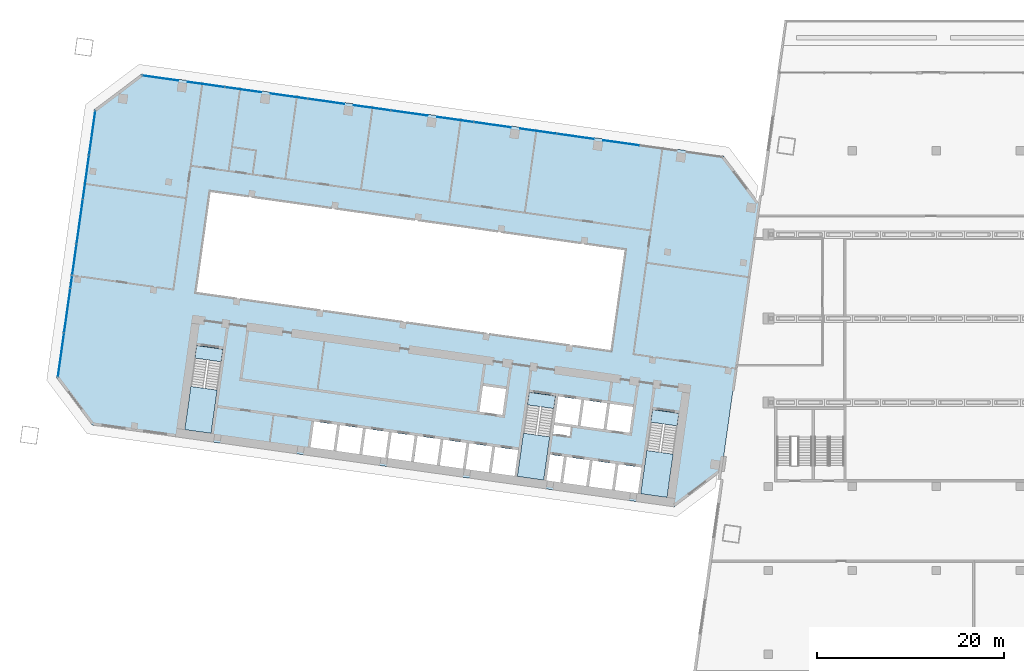
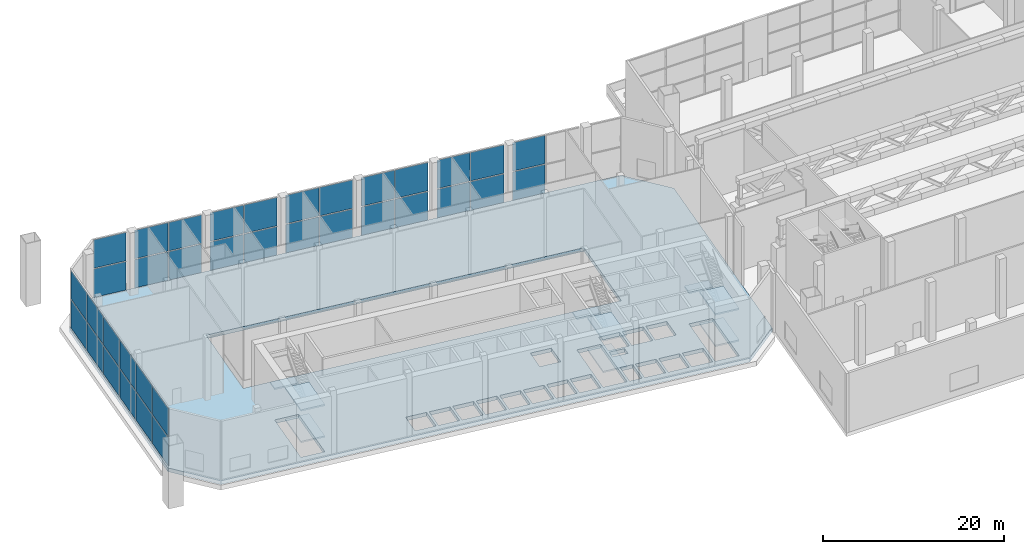
# One storey, part 12 of 31: 36 plates, 10 slabs, 5 elements without a shape of their own.
"""IFC4 building model written with IfcOpenShell, lengths in metres."""

from ifc_helpers import new_model, si_unit, direction, frame, origin, origin_2d, place, context, subcontext, project, spatial, polyline, rectangle, outline, extrude, material, layer, layer_set, type_object, element, aggregate, save


model = new_model("IFC4")

# Units and contexts
model_context = context("Model", 3, precision=1e-05, world=origin(), true_north=direction((0.0, 1.0)))
body_context = subcontext(model_context, "Body", "Model", "MODEL_VIEW")
ifc_project = project(units=[si_unit("LENGTHUNIT", "METRE"), si_unit("AREAUNIT", "SQUARE_METRE"), si_unit("VOLUMEUNIT", "CUBIC_METRE"), si_unit("PLANEANGLEUNIT", "RADIAN"), si_unit("MASSUNIT", "GRAM", prefix="KILO")], contexts=[model_context])

# Site, building, storey
site_placement = place(None, origin())
site = spatial("IfcSite", under=ifc_project, at=site_placement, CompositionType="ELEMENT")
building_placement = place(site_placement, origin())
building = spatial("IfcBuilding", under=site, at=building_placement, Name="Mirante Cascada Hotel Towers", CompositionType="ELEMENT")
storey_placement = place(building_placement, frame((0.0, 0.0, 9.0)))
storey = spatial("IfcBuildingStorey", under=building, at=storey_placement, Name="L01", CompositionType="ELEMENT", Elevation=9.0)

# Curtain wall, plates
ifc_material_1 = material(Name="Aluminium mullion and transom frame with clear laminated glass", Category="aluminium")
curtain_wall_type = type_object("IfcCurtainWallType", Name="Podium curtain wall ECW3", PredefinedType="NOTDEFINED", material=ifc_material_1)
curtain_wall_1_placement = place(storey_placement, origin())
curtain_wall_1 = element("IfcCurtainWall", 1, at=curtain_wall_1_placement, inside=storey, type_object=curtain_wall_type, Name="Front podium glazing T1 L01", PredefinedType="NOTDEFINED")
ifc_material_2 = material(Name="Clear laminated glass", Category="glass")
ifc_layer_1 = layer(ifc_material_2, 0.04)
ifc_layer_set_1 = layer_set([ifc_layer_1], Name="ECW3 glass panel 40")
plate_type = type_object("IfcPlateType", Name="ECW3 glass panel 40", PredefinedType="CURTAIN_PANEL", material=ifc_layer_set_1)
plate_1_placement = place(storey_placement, frame((-92.1787, 25.7739, 0.12), z_axis=(0.0, 0.0, 1.0), x_axis=(0.9902681, -0.1391731, 0.0)))
plate_1 = element("IfcPlate", 2, at=plate_1_placement, type_object=plate_type, Name="ECW3 panel 1", PredefinedType="CURTAIN_PANEL", context=body_context, shape_type="SweptSolid", body=[
    extrude(rectangle(XDim=3.8379, YDim=0.04, at=origin_2d()), origin(), (0.0, 0.0, 1.0), 3.82),
])
plate_2_placement = place(storey_placement, frame((-92.1787, 25.7739, 4.06), z_axis=(0.0, 0.0, 1.0), x_axis=(0.9902681, -0.1391731, 0.0)))
plate_2 = element("IfcPlate", 3, at=plate_2_placement, type_object=plate_type, Name="ECW3 panel 1", PredefinedType="CURTAIN_PANEL", context=body_context, shape_type="SweptSolid", body=[
    extrude(rectangle(XDim=3.8379, YDim=0.04, at=origin_2d()), origin(), (0.0, 0.0, 1.0), 3.82),
])
plate_3_placement = place(storey_placement, frame((-87.2757, 25.0848, 0.12), z_axis=(0.0, 0.0, 1.0), x_axis=(0.9902681, -0.1391731, 0.0)))
plate_3 = element("IfcPlate", 4, at=plate_3_placement, type_object=plate_type, Name="ECW3 panel 2", PredefinedType="CURTAIN_PANEL", context=body_context, shape_type="SweptSolid", body=[
    extrude(rectangle(XDim=3.9844, YDim=0.04, at=origin_2d()), origin(), (0.0, 0.0, 1.0), 3.82),
])
plate_4_placement = place(storey_placement, frame((-87.2757, 25.0848, 4.06), z_axis=(0.0, 0.0, 1.0), x_axis=(0.9902681, -0.1391731, 0.0)))
plate_4 = element("IfcPlate", 5, at=plate_4_placement, type_object=plate_type, Name="ECW3 panel 2", PredefinedType="CURTAIN_PANEL", context=body_context, shape_type="SweptSolid", body=[
    extrude(rectangle(XDim=3.9844, YDim=0.04, at=origin_2d()), origin(), (0.0, 0.0, 1.0), 3.82),
])
plate_5_placement = place(storey_placement, frame((-83.2949, 24.5254, 0.12), z_axis=(0.0, 0.0, 1.0), x_axis=(0.9902681, -0.1391731, 0.0)))
plate_5 = element("IfcPlate", 6, at=plate_5_placement, type_object=plate_type, Name="ECW3 panel 3", PredefinedType="CURTAIN_PANEL", context=body_context, shape_type="SweptSolid", body=[
    extrude(rectangle(XDim=3.8956, YDim=0.04, at=origin_2d()), origin(), (0.0, 0.0, 1.0), 3.82),
])
plate_6_placement = place(storey_placement, frame((-83.2949, 24.5254, 4.06), z_axis=(0.0, 0.0, 1.0), x_axis=(0.9902681, -0.1391731, 0.0)))
plate_6 = element("IfcPlate", 7, at=plate_6_placement, type_object=plate_type, Name="ECW3 panel 3", PredefinedType="CURTAIN_PANEL", context=body_context, shape_type="SweptSolid", body=[
    extrude(rectangle(XDim=3.8956, YDim=0.04, at=origin_2d()), origin(), (0.0, 0.0, 1.0), 3.82),
])
plate_7_placement = place(storey_placement, frame((-78.3721, 23.8335, 0.12), z_axis=(0.0, 0.0, 1.0), x_axis=(0.9902681, -0.1391731, 0.0)))
plate_7 = element("IfcPlate", 8, at=plate_7_placement, type_object=plate_type, Name="ECW3 panel 4", PredefinedType="CURTAIN_PANEL", context=body_context, shape_type="SweptSolid", body=[
    extrude(rectangle(XDim=3.9666, YDim=0.04, at=origin_2d()), origin(), (0.0, 0.0, 1.0), 3.82),
])
plate_8_placement = place(storey_placement, frame((-78.3721, 23.8335, 4.06), z_axis=(0.0, 0.0, 1.0), x_axis=(0.9902681, -0.1391731, 0.0)))
plate_8 = element("IfcPlate", 9, at=plate_8_placement, type_object=plate_type, Name="ECW3 panel 4", PredefinedType="CURTAIN_PANEL", context=body_context, shape_type="SweptSolid", body=[
    extrude(rectangle(XDim=3.9666, YDim=0.04, at=origin_2d()), origin(), (0.0, 0.0, 1.0), 3.82),
])
plate_9_placement = place(storey_placement, frame((-74.3912, 23.274, 0.12), z_axis=(0.0, 0.0, 1.0), x_axis=(0.9902681, -0.1391731, 0.0)))
plate_9 = element("IfcPlate", 10, at=plate_9_placement, type_object=plate_type, Name="ECW3 panel 5", PredefinedType="CURTAIN_PANEL", context=body_context, shape_type="SweptSolid", body=[
    extrude(rectangle(XDim=3.9134, YDim=0.04, at=origin_2d()), origin(), (0.0, 0.0, 1.0), 3.82),
])
plate_10_placement = place(storey_placement, frame((-74.3912, 23.274, 4.06), z_axis=(0.0, 0.0, 1.0), x_axis=(0.9902681, -0.1391731, 0.0)))
plate_10 = element("IfcPlate", 11, at=plate_10_placement, type_object=plate_type, Name="ECW3 panel 5", PredefinedType="CURTAIN_PANEL", context=body_context, shape_type="SweptSolid", body=[
    extrude(rectangle(XDim=3.9134, YDim=0.04, at=origin_2d()), origin(), (0.0, 0.0, 1.0), 3.82),
])
plate_11_placement = place(storey_placement, frame((-69.4685, 22.5822, 0.12), z_axis=(0.0, 0.0, 1.0), x_axis=(0.9902681, -0.1391731, 0.0)))
plate_11 = element("IfcPlate", 12, at=plate_11_placement, type_object=plate_type, Name="ECW3 panel 6", PredefinedType="CURTAIN_PANEL", context=body_context, shape_type="SweptSolid", body=[
    extrude(rectangle(XDim=3.9489, YDim=0.04, at=origin_2d()), origin(), (0.0, 0.0, 1.0), 3.82),
])
plate_12_placement = place(storey_placement, frame((-69.4685, 22.5822, 4.06), z_axis=(0.0, 0.0, 1.0), x_axis=(0.9902681, -0.1391731, 0.0)))
plate_12 = element("IfcPlate", 13, at=plate_12_placement, type_object=plate_type, Name="ECW3 panel 6", PredefinedType="CURTAIN_PANEL", context=body_context, shape_type="SweptSolid", body=[
    extrude(rectangle(XDim=3.9489, YDim=0.04, at=origin_2d()), origin(), (0.0, 0.0, 1.0), 3.82),
])
plate_13_placement = place(storey_placement, frame((-65.4876, 22.0227, 0.12), z_axis=(0.0, 0.0, 1.0), x_axis=(0.9902681, -0.1391731, 0.0)))
plate_13 = element("IfcPlate", 14, at=plate_13_placement, type_object=plate_type, Name="ECW3 panel 7", PredefinedType="CURTAIN_PANEL", context=body_context, shape_type="SweptSolid", body=[
    extrude(rectangle(XDim=3.9311, YDim=0.04, at=origin_2d()), origin(), (0.0, 0.0, 1.0), 3.82),
])
plate_14_placement = place(storey_placement, frame((-65.4876, 22.0227, 4.06), z_axis=(0.0, 0.0, 1.0), x_axis=(0.9902681, -0.1391731, 0.0)))
plate_14 = element("IfcPlate", 15, at=plate_14_placement, type_object=plate_type, Name="ECW3 panel 7", PredefinedType="CURTAIN_PANEL", context=body_context, shape_type="SweptSolid", body=[
    extrude(rectangle(XDim=3.9311, YDim=0.04, at=origin_2d()), origin(), (0.0, 0.0, 1.0), 3.82),
])
plate_15_placement = place(storey_placement, frame((-60.5649, 21.3309, 0.12), z_axis=(0.0, 0.0, 1.0), x_axis=(0.9902681, -0.1391731, 0.0)))
plate_15 = element("IfcPlate", 16, at=plate_15_placement, type_object=plate_type, Name="ECW3 panel 8", PredefinedType="CURTAIN_PANEL", context=body_context, shape_type="SweptSolid", body=[
    extrude(rectangle(XDim=3.9311, YDim=0.04, at=origin_2d()), origin(), (0.0, 0.0, 1.0), 3.82),
])
plate_16_placement = place(storey_placement, frame((-60.5649, 21.3309, 4.06), z_axis=(0.0, 0.0, 1.0), x_axis=(0.9902681, -0.1391731, 0.0)))
plate_16 = element("IfcPlate", 17, at=plate_16_placement, type_object=plate_type, Name="ECW3 panel 8", PredefinedType="CURTAIN_PANEL", context=body_context, shape_type="SweptSolid", body=[
    extrude(rectangle(XDim=3.9311, YDim=0.04, at=origin_2d()), origin(), (0.0, 0.0, 1.0), 3.82),
])
plate_17_placement = place(storey_placement, frame((-56.584, 20.7714, 0.12), z_axis=(0.0, 0.0, 1.0), x_axis=(0.9902681, -0.1391731, 0.0)))
plate_17 = element("IfcPlate", 18, at=plate_17_placement, type_object=plate_type, Name="ECW3 panel 9", PredefinedType="CURTAIN_PANEL", context=body_context, shape_type="SweptSolid", body=[
    extrude(rectangle(XDim=3.9489, YDim=0.04, at=origin_2d()), origin(), (0.0, 0.0, 1.0), 3.82),
])
plate_18_placement = place(storey_placement, frame((-56.584, 20.7714, 4.06), z_axis=(0.0, 0.0, 1.0), x_axis=(0.9902681, -0.1391731, 0.0)))
plate_18 = element("IfcPlate", 19, at=plate_18_placement, type_object=plate_type, Name="ECW3 panel 9", PredefinedType="CURTAIN_PANEL", context=body_context, shape_type="SweptSolid", body=[
    extrude(rectangle(XDim=3.9489, YDim=0.04, at=origin_2d()), origin(), (0.0, 0.0, 1.0), 3.82),
])
plate_19_placement = place(storey_placement, frame((-51.6612, 20.0795, 0.12), z_axis=(0.0, 0.0, 1.0), x_axis=(0.9902681, -0.1391731, 0.0)))
plate_19 = element("IfcPlate", 20, at=plate_19_placement, type_object=plate_type, Name="ECW3 panel 10", PredefinedType="CURTAIN_PANEL", context=body_context, shape_type="SweptSolid", body=[
    extrude(rectangle(XDim=3.9134, YDim=0.04, at=origin_2d()), origin(), (0.0, 0.0, 1.0), 3.82),
])
plate_20_placement = place(storey_placement, frame((-51.6612, 20.0795, 4.06), z_axis=(0.0, 0.0, 1.0), x_axis=(0.9902681, -0.1391731, 0.0)))
plate_20 = element("IfcPlate", 21, at=plate_20_placement, type_object=plate_type, Name="ECW3 panel 10", PredefinedType="CURTAIN_PANEL", context=body_context, shape_type="SweptSolid", body=[
    extrude(rectangle(XDim=3.9134, YDim=0.04, at=origin_2d()), origin(), (0.0, 0.0, 1.0), 3.82),
])
plate_21_placement = place(storey_placement, frame((-47.6804, 19.5201, 0.12), z_axis=(0.0, 0.0, 1.0), x_axis=(0.9902681, -0.1391731, 0.0)))
plate_21 = element("IfcPlate", 22, at=plate_21_placement, type_object=plate_type, Name="ECW3 panel 11", PredefinedType="CURTAIN_PANEL", context=body_context, shape_type="SweptSolid", body=[
    extrude(rectangle(XDim=3.9666, YDim=0.04, at=origin_2d()), origin(), (0.0, 0.0, 1.0), 3.82),
])
plate_22_placement = place(storey_placement, frame((-47.6804, 19.5201, 4.06), z_axis=(0.0, 0.0, 1.0), x_axis=(0.9902681, -0.1391731, 0.0)))
plate_22 = element("IfcPlate", 23, at=plate_22_placement, type_object=plate_type, Name="ECW3 panel 11", PredefinedType="CURTAIN_PANEL", context=body_context, shape_type="SweptSolid", body=[
    extrude(rectangle(XDim=3.9666, YDim=0.04, at=origin_2d()), origin(), (0.0, 0.0, 1.0), 3.82),
])
plate_23_placement = place(storey_placement, frame((-42.7576, 18.8282, 0.12), z_axis=(0.0, 0.0, 1.0), x_axis=(0.9902681, -0.1391731, 0.0)))
plate_23 = element("IfcPlate", 24, at=plate_23_placement, type_object=plate_type, Name="ECW3 panel 12", PredefinedType="CURTAIN_PANEL", context=body_context, shape_type="SweptSolid", body=[
    extrude(rectangle(XDim=3.8956, YDim=0.04, at=origin_2d()), origin(), (0.0, 0.0, 1.0), 3.82),
])
plate_24_placement = place(storey_placement, frame((-42.7576, 18.8282, 4.06), z_axis=(0.0, 0.0, 1.0), x_axis=(0.9902681, -0.1391731, 0.0)))
plate_24 = element("IfcPlate", 25, at=plate_24_placement, type_object=plate_type, Name="ECW3 panel 12", PredefinedType="CURTAIN_PANEL", context=body_context, shape_type="SweptSolid", body=[
    extrude(rectangle(XDim=3.8956, YDim=0.04, at=origin_2d()), origin(), (0.0, 0.0, 1.0), 3.82),
])
aggregate(curtain_wall_1, [plate_1, plate_2, plate_3, plate_4, plate_5, plate_6, plate_7, plate_8, plate_9, plate_10, plate_11, plate_12, plate_13, plate_14, plate_15, plate_16, plate_17, plate_18, plate_19, plate_20, plate_21, plate_22, plate_23, plate_24])

curtain_wall_2_placement = place(storey_placement, origin())
curtain_wall_2 = element("IfcCurtainWall", 26, at=curtain_wall_2_placement, inside=storey, type_object=curtain_wall_type, Name="Outer end podium glazing T1 L01", PredefinedType="NOTDEFINED")
plate_25_placement = place(storey_placement, frame((-102.8224, -3.8951, 0.12), z_axis=(0.0, 0.0, 1.0), x_axis=(0.1391731, 0.9902681, 0.0)))
plate_25 = element("IfcPlate", 27, at=plate_25_placement, type_object=plate_type, Name="ECW3 panel 1", PredefinedType="CURTAIN_PANEL", context=body_context, shape_type="SweptSolid", body=[
    extrude(rectangle(XDim=4.6926, YDim=0.04, at=origin_2d()), origin(), (0.0, 0.0, 1.0), 3.82),
])
plate_26_placement = place(storey_placement, frame((-102.8224, -3.8951, 4.06), z_axis=(0.0, 0.0, 1.0), x_axis=(0.1391731, 0.9902681, 0.0)))
plate_26 = element("IfcPlate", 28, at=plate_26_placement, type_object=plate_type, Name="ECW3 panel 1", PredefinedType="CURTAIN_PANEL", context=body_context, shape_type="SweptSolid", body=[
    extrude(rectangle(XDim=4.6926, YDim=0.04, at=origin_2d()), origin(), (0.0, 0.0, 1.0), 3.82),
])
plate_27_placement = place(storey_placement, frame((-102.1554, 0.8509, 0.12), z_axis=(0.0, 0.0, 1.0), x_axis=(0.1391731, 0.9902681, 0.0)))
plate_27 = element("IfcPlate", 29, at=plate_27_placement, type_object=plate_type, Name="ECW3 panel 2", PredefinedType="CURTAIN_PANEL", context=body_context, shape_type="SweptSolid", body=[
    extrude(rectangle(XDim=4.7326, YDim=0.04, at=origin_2d()), origin(), (0.0, 0.0, 1.0), 3.82),
])
plate_28_placement = place(storey_placement, frame((-102.1554, 0.8509, 4.06), z_axis=(0.0, 0.0, 1.0), x_axis=(0.1391731, 0.9902681, 0.0)))
plate_28 = element("IfcPlate", 30, at=plate_28_placement, type_object=plate_type, Name="ECW3 panel 2", PredefinedType="CURTAIN_PANEL", context=body_context, shape_type="SweptSolid", body=[
    extrude(rectangle(XDim=4.7326, YDim=0.04, at=origin_2d()), origin(), (0.0, 0.0, 1.0), 3.82),
])
plate_29_placement = place(storey_placement, frame((-101.4857, 5.6167, 0.12), z_axis=(0.0, 0.0, 1.0), x_axis=(0.1391731, 0.9902681, 0.0)))
plate_29 = element("IfcPlate", 31, at=plate_29_placement, type_object=plate_type, Name="ECW3 panel 3", PredefinedType="CURTAIN_PANEL", context=body_context, shape_type="SweptSolid", body=[
    extrude(rectangle(XDim=4.7326, YDim=0.04, at=origin_2d()), origin(), (0.0, 0.0, 1.0), 3.82),
])
plate_30_placement = place(storey_placement, frame((-101.4857, 5.6167, 4.06), z_axis=(0.0, 0.0, 1.0), x_axis=(0.1391731, 0.9902681, 0.0)))
plate_30 = element("IfcPlate", 32, at=plate_30_placement, type_object=plate_type, Name="ECW3 panel 3", PredefinedType="CURTAIN_PANEL", context=body_context, shape_type="SweptSolid", body=[
    extrude(rectangle(XDim=4.7326, YDim=0.04, at=origin_2d()), origin(), (0.0, 0.0, 1.0), 3.82),
])
plate_31_placement = place(storey_placement, frame((-100.8159, 10.3825, 0.12), z_axis=(0.0, 0.0, 1.0), x_axis=(0.1391731, 0.9902681, 0.0)))
plate_31 = element("IfcPlate", 33, at=plate_31_placement, type_object=plate_type, Name="ECW3 panel 4", PredefinedType="CURTAIN_PANEL", context=body_context, shape_type="SweptSolid", body=[
    extrude(rectangle(XDim=4.7326, YDim=0.04, at=origin_2d()), origin(), (0.0, 0.0, 1.0), 3.82),
])
plate_32_placement = place(storey_placement, frame((-100.8159, 10.3825, 4.06), z_axis=(0.0, 0.0, 1.0), x_axis=(0.1391731, 0.9902681, 0.0)))
plate_32 = element("IfcPlate", 34, at=plate_32_placement, type_object=plate_type, Name="ECW3 panel 4", PredefinedType="CURTAIN_PANEL", context=body_context, shape_type="SweptSolid", body=[
    extrude(rectangle(XDim=4.7326, YDim=0.04, at=origin_2d()), origin(), (0.0, 0.0, 1.0), 3.82),
])
plate_33_placement = place(storey_placement, frame((-100.1461, 15.1483, 0.12), z_axis=(0.0, 0.0, 1.0), x_axis=(0.1391731, 0.9902681, 0.0)))
plate_33 = element("IfcPlate", 35, at=plate_33_placement, type_object=plate_type, Name="ECW3 panel 5", PredefinedType="CURTAIN_PANEL", context=body_context, shape_type="SweptSolid", body=[
    extrude(rectangle(XDim=4.7326, YDim=0.04, at=origin_2d()), origin(), (0.0, 0.0, 1.0), 3.82),
])
plate_34_placement = place(storey_placement, frame((-100.1461, 15.1483, 4.06), z_axis=(0.0, 0.0, 1.0), x_axis=(0.1391731, 0.9902681, 0.0)))
plate_34 = element("IfcPlate", 36, at=plate_34_placement, type_object=plate_type, Name="ECW3 panel 5", PredefinedType="CURTAIN_PANEL", context=body_context, shape_type="SweptSolid", body=[
    extrude(rectangle(XDim=4.7326, YDim=0.04, at=origin_2d()), origin(), (0.0, 0.0, 1.0), 3.82),
])
plate_35_placement = place(storey_placement, frame((-99.4791, 19.8942, 0.12), z_axis=(0.0, 0.0, 1.0), x_axis=(0.1391731, 0.9902681, 0.0)))
plate_35 = element("IfcPlate", 37, at=plate_35_placement, type_object=plate_type, Name="ECW3 panel 6", PredefinedType="CURTAIN_PANEL", context=body_context, shape_type="SweptSolid", body=[
    extrude(rectangle(XDim=4.6926, YDim=0.04, at=origin_2d()), origin(), (0.0, 0.0, 1.0), 3.82),
])
plate_36_placement = place(storey_placement, frame((-99.4791, 19.8942, 4.06), z_axis=(0.0, 0.0, 1.0), x_axis=(0.1391731, 0.9902681, 0.0)))
plate_36 = element("IfcPlate", 38, at=plate_36_placement, type_object=plate_type, Name="ECW3 panel 6", PredefinedType="CURTAIN_PANEL", context=body_context, shape_type="SweptSolid", body=[
    extrude(rectangle(XDim=4.6926, YDim=0.04, at=origin_2d()), origin(), (0.0, 0.0, 1.0), 3.82),
])
aggregate(curtain_wall_2, [plate_25, plate_26, plate_27, plate_28, plate_29, plate_30, plate_31, plate_32, plate_33, plate_34, plate_35, plate_36])

# Stair, slabs
ifc_material_3 = material(Name="Concrete C35/45", Category="concrete")
stair_type = type_object("IfcStairType", Name="Exit stair half-turn 1350 concrete C35/45", PredefinedType="HALF_TURN_STAIR", material=ifc_material_3)
stair_1_placement = place(storey_placement, origin())
stair_1 = element("IfcStair", 39, at=stair_1_placement, inside=storey, type_object=stair_type, Name="L01 Exit stair A", PredefinedType="HALF_TURN_STAIR")
ifc_material_4 = material(Name="Concrete C35/45", Category="concrete")
ifc_layer_2 = layer(ifc_material_4, 0.2)
ifc_layer_set_2 = layer_set([ifc_layer_2], Name="Exit stair landing 200 concrete C35/45")
slab_type_1 = type_object("IfcSlabType", Name="Exit stair landing 200 concrete C35/45", PredefinedType="LANDING", material=ifc_layer_set_2)
slab_1_placement = place(storey_placement, frame((0.0, 0.0, 1.925)))
slab_1 = element("IfcSlab", 40, at=slab_1_placement, type_object=slab_type_1, Name="ST1-A landing 1", PredefinedType="LANDING", context=body_context, shape_type="SweptSolid", body=[
    extrude(outline(polyline([(-40.0377, -14.1432), (-40.6887, -18.7757), (-37.8665, -19.1723), (-37.2154, -14.5398), (-40.0377, -14.1432)])), origin(), (0.0, 0.0, 1.0), 0.2),
])
slab_2_placement = place(storey_placement, frame((0.0, 0.0, 4.05)))
slab_2 = element("IfcSlab", 41, at=slab_2_placement, type_object=slab_type_1, Name="ST1-A landing 2", PredefinedType="LANDING", context=body_context, shape_type="SweptSolid", body=[
    extrude(outline(polyline([(-39.4223, -9.7642), (-39.6113, -11.109), (-36.789, -11.5057), (-36.6, -10.1609), (-39.4223, -9.7642)])), origin(), (0.0, 0.0, 1.0), 0.2),
])
slab_3_placement = place(storey_placement, frame((0.0, 0.0, 6.175)))
slab_3 = element("IfcSlab", 42, at=slab_3_placement, type_object=slab_type_1, Name="ST1-A landing 3", PredefinedType="LANDING", context=body_context, shape_type="SweptSolid", body=[
    extrude(outline(polyline([(-40.0377, -14.1432), (-40.6887, -18.7757), (-37.8665, -19.1723), (-37.2154, -14.5398), (-40.0377, -14.1432)])), origin(), (0.0, 0.0, 1.0), 0.2),
])
aggregate(stair_1, [slab_1, slab_2, slab_3])

stair_2_placement = place(storey_placement, origin())
stair_2 = element("IfcStair", 43, at=stair_2_placement, inside=storey, type_object=stair_type, Name="L01 Exit stair B", PredefinedType="HALF_TURN_STAIR")
slab_4_placement = place(storey_placement, frame((0.0, 0.0, 1.925)))
slab_4 = element("IfcSlab", 44, at=slab_4_placement, type_object=slab_type_1, Name="ST1-B landing 1", PredefinedType="LANDING", context=body_context, shape_type="SweptSolid", body=[
    extrude(outline(polyline([(-53.2578, -12.2852), (-53.9088, -16.9177), (-51.0866, -17.3144), (-50.4355, -12.6819), (-53.2578, -12.2852)])), origin(), (0.0, 0.0, 1.0), 0.2),
])
slab_5_placement = place(storey_placement, frame((0.0, 0.0, 4.05)))
slab_5 = element("IfcSlab", 45, at=slab_5_placement, type_object=slab_type_1, Name="ST1-B landing 2", PredefinedType="LANDING", context=body_context, shape_type="SweptSolid", body=[
    extrude(outline(polyline([(-52.6423, -7.9063), (-52.8313, -9.2511), (-50.0091, -9.6477), (-49.8201, -8.3029), (-52.6423, -7.9063)])), origin(), (0.0, 0.0, 1.0), 0.2),
])
slab_6_placement = place(storey_placement, frame((0.0, 0.0, 6.175)))
slab_6 = element("IfcSlab", 46, at=slab_6_placement, type_object=slab_type_1, Name="ST1-B landing 3", PredefinedType="LANDING", context=body_context, shape_type="SweptSolid", body=[
    extrude(outline(polyline([(-53.2578, -12.2852), (-53.9088, -16.9177), (-51.0866, -17.3144), (-50.4355, -12.6819), (-53.2578, -12.2852)])), origin(), (0.0, 0.0, 1.0), 0.2),
])
aggregate(stair_2, [slab_4, slab_5, slab_6])

stair_3_placement = place(storey_placement, origin())
stair_3 = element("IfcStair", 47, at=stair_3_placement, inside=storey, type_object=stair_type, Name="L01 Exit stair C", PredefinedType="HALF_TURN_STAIR")
slab_7_placement = place(storey_placement, frame((0.0, 0.0, 1.925)))
slab_7 = element("IfcSlab", 48, at=slab_7_placement, type_object=slab_type_1, Name="ST1-C landing 1", PredefinedType="LANDING", context=body_context, shape_type="SweptSolid", body=[
    extrude(outline(polyline([(-88.9074, -7.275), (-89.5585, -11.9075), (-86.7362, -12.3041), (-86.0852, -7.6717), (-88.9074, -7.275)])), origin(), (0.0, 0.0, 1.0), 0.2),
])
slab_8_placement = place(storey_placement, frame((0.0, 0.0, 4.05)))
slab_8 = element("IfcSlab", 49, at=slab_8_placement, type_object=slab_type_1, Name="ST1-C landing 2", PredefinedType="LANDING", context=body_context, shape_type="SweptSolid", body=[
    extrude(outline(polyline([(-88.292, -2.896), (-88.481, -4.2408), (-85.6587, -4.6375), (-85.4697, -3.2927), (-88.292, -2.896)])), origin(), (0.0, 0.0, 1.0), 0.2),
])
slab_9_placement = place(storey_placement, frame((0.0, 0.0, 6.175)))
slab_9 = element("IfcSlab", 50, at=slab_9_placement, type_object=slab_type_1, Name="ST1-C landing 3", PredefinedType="LANDING", context=body_context, shape_type="SweptSolid", body=[
    extrude(outline(polyline([(-88.9074, -7.275), (-89.5585, -11.9075), (-86.7362, -12.3041), (-86.0852, -7.6717), (-88.9074, -7.275)])), origin(), (0.0, 0.0, 1.0), 0.2),
])
aggregate(stair_3, [slab_7, slab_8, slab_9])

# Slab
ifc_material_5 = material(Name="Concrete C40/50", Category="concrete")
ifc_layer_3 = layer(ifc_material_5, 0.5)
ifc_layer_set_3 = layer_set([ifc_layer_3], Name="Post-tensioned flat plate 500 Concrete C40/50")
slab_type_2 = type_object("IfcSlabType", Name="Post-tensioned flat plate 500 Concrete C40/50", PredefinedType="FLOOR", material=ifc_layer_set_3)
slab_10_placement = place(storey_placement, frame((0.0, 0.0, -0.5)))
element("IfcSlab", 51, at=slab_10_placement, inside=storey, type_object=slab_type_2, Name="Floor T1 L01", PredefinedType="FLOOR", context=body_context, shape_type="SweptSolid", body=[
    extrude(outline(polyline([(-32.018, -16.3589), (-27.982, 12.3589), (-31.8119, 17.4414), (-94.1988, 26.2093), (-99.2813, 22.3794), (-103.3173, -6.3384), (-99.4874, -11.4209), (-37.1005, -20.1888), (-32.018, -16.3589)]), holes=[polyline([(-43.0718, -15.6132), (-40.5961, -15.9612), (-40.9858, -18.7339), (-43.4615, -18.386), (-43.0718, -15.6132)]), polyline([(-45.8446, -15.2236), (-43.3689, -15.5715), (-43.7586, -18.3442), (-46.2342, -17.9963), (-45.8446, -15.2236)]), polyline([(-48.6173, -14.8339), (-46.1416, -15.1818), (-46.5313, -17.9546), (-49.007, -17.6066), (-48.6173, -14.8339)]), polyline([(-50.7895, -17.3561), (-50.3998, -14.5834), (-48.9144, -14.7921), (-49.3041, -17.5649), (-50.7895, -17.3561)]), polyline([(-56.6816, -16.528), (-56.2919, -13.7553), (-53.8162, -14.1032), (-54.2059, -16.876), (-56.6816, -16.528)]), polyline([(-36.7887, -11.5037), (-37.8665, -19.1723), (-40.6887, -18.7757), (-39.611, -11.107), (-36.7887, -11.5037)]), polyline([(-50.0088, -9.6457), (-51.0866, -17.3144), (-53.9088, -16.9177), (-52.8311, -9.2491), (-50.0088, -9.6457)]), polyline([(-49.9544, -11.4145), (-48.1472, -11.6685), (-48.2829, -12.634), (-50.0901, -12.38), (-49.9544, -11.4145)]), polyline([(-44.3672, -11.8968), (-43.9775, -9.124), (-41.5018, -9.472), (-41.8915, -12.2447), (-44.3672, -11.8968)]), polyline([(-47.1399, -11.5071), (-46.7503, -8.7344), (-44.2746, -9.0823), (-44.6643, -11.855), (-47.1399, -11.5071)]), polyline([(-49.523, -8.3447), (-47.0473, -8.6926), (-47.437, -11.4654), (-49.9127, -11.1174), (-49.523, -8.3447)]), polyline([(-59.0646, -13.3656), (-56.589, -13.7135), (-56.9787, -16.4863), (-59.4543, -16.1383), (-59.0646, -13.3656)]), polyline([(-61.8374, -12.9759), (-59.3617, -13.3238), (-59.7514, -16.0966), (-62.2271, -15.7487), (-61.8374, -12.9759)]), polyline([(-64.9998, -15.359), (-64.6101, -12.5862), (-62.1345, -12.9342), (-62.5242, -15.7069), (-64.9998, -15.359)]), polyline([(-67.7726, -14.9693), (-67.3829, -12.1965), (-64.9072, -12.5445), (-65.2969, -15.3172), (-67.7726, -14.9693)]), polyline([(-70.1556, -11.8069), (-67.68, -12.1548), (-68.0697, -14.9275), (-70.5453, -14.5796), (-70.1556, -11.8069)]), polyline([(-73.3181, -14.1899), (-72.9284, -11.4172), (-70.4527, -11.7651), (-70.8424, -14.5379), (-73.3181, -14.1899)]), polyline([(-76.0908, -13.8002), (-75.7011, -11.0275), (-73.2255, -11.3754), (-73.6152, -14.1482), (-76.0908, -13.8002)]), polyline([(-85.6585, -4.6355), (-86.7362, -12.3041), (-89.5585, -11.9075), (-88.4807, -4.2388), (-85.6585, -4.6355)]), polyline([(-57.9834, -9.9832), (-57.5937, -7.2104), (-55.118, -7.5583), (-55.5077, -10.3311), (-57.9834, -9.9832)]), polyline([(-88.4039, 2.7747), (-86.873, 13.6677), (-42.3109, 7.4049), (-43.8418, -3.4881), (-88.4039, 2.7747)])]), origin(), (0.0, 0.0, 1.0), 0.5),
])

save(model, "model.ifc")
